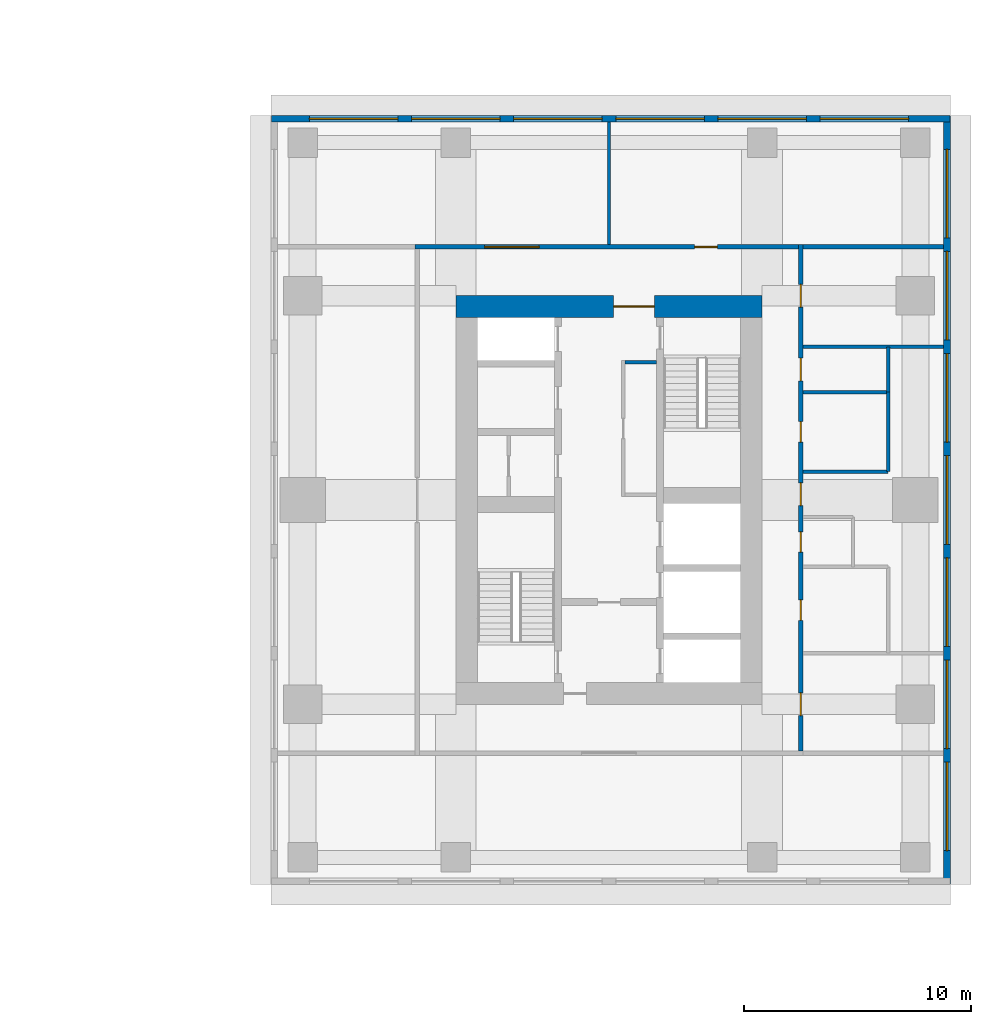
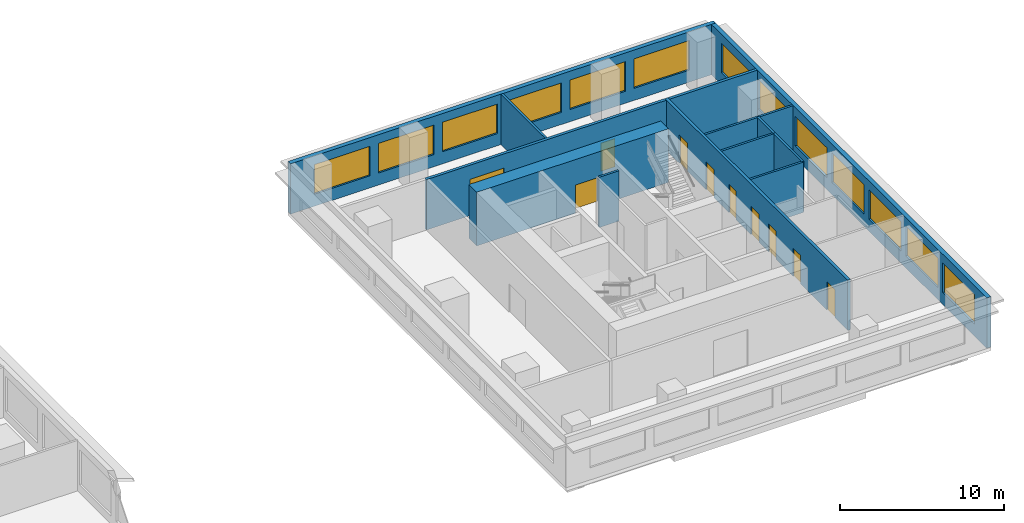
# One storey, part 7 of 10: 13 walls, 13 windows, 10 doors, 23 openings.
"""IFC4 building model written with IfcOpenShell, lengths in metres."""

from ifc_helpers import new_model, si_unit, direction, frame, frame_2d, origin, place, context, subcontext, project, spatial, rectangle, extrude, material, layer, layer_set, type_object, element, fill, save


model = new_model("IFC4")

# Units and contexts
model_context = context("Model", 3, precision=1e-05, world=origin(), true_north=direction((0.0, 1.0)))
body_context = subcontext(model_context, "Body", "Model", "MODEL_VIEW")
ifc_project = project(units=[si_unit("LENGTHUNIT", "METRE"), si_unit("AREAUNIT", "SQUARE_METRE"), si_unit("VOLUMEUNIT", "CUBIC_METRE"), si_unit("PLANEANGLEUNIT", "RADIAN"), si_unit("MASSUNIT", "GRAM", prefix="KILO")], contexts=[model_context])

# Site, building, storey
site_placement = place(None, origin())
site = spatial("IfcSite", under=ifc_project, at=site_placement, CompositionType="ELEMENT")
building_placement = place(site_placement, origin())
building = spatial("IfcBuilding", under=site, at=building_placement, Name="Namib Vertical Campus", CompositionType="ELEMENT")
storey_placement = place(building_placement, frame((0.0, 0.0, 229.0)))
storey = spatial("IfcBuildingStorey", under=building, at=storey_placement, Name="L54", CompositionType="ELEMENT", Elevation=229.0)

# Wall, opening, door
ifc_material_1 = material(Name="Concrete C60/75", Category="concrete")
ifc_layer_1 = layer(ifc_material_1, 0.949951171875)
ifc_layer_set_1 = layer_set([ifc_layer_1], Name="Concrete C60/75")
wall_type_1 = type_object("IfcWallType", Name="Core wall 950", PredefinedType="SHEAR", material=ifc_layer_set_1)
wall_1_placement = place(storey_placement, frame((87.75, 28.77490234375, 0.0), z_axis=(0.0, 0.0, 1.0), x_axis=(-1.0, 0.0, 0.0)))
wall_1 = element("IfcWall", 1, at=wall_1_placement, inside=storey, type_object=wall_type_1, Name="Core wall B L54 3", PredefinedType="SHEAR", context=body_context, shape_type="SweptSolid", body=[
    extrude(rectangle(XDim=13.5, YDim=0.949951171875, at=frame_2d((6.75, 0.0))), origin(), (0.0, 0.0, 1.0), 4.0),
])
opening_1_placement = place(wall_1_placement, frame((4.75, 0.0, 0.0)))
opening_1 = element("IfcOpeningElement", 2, at=opening_1_placement, cuts=wall_1, Name="Opening FD2", PredefinedType="OPENING", context=body_context, shape_type="SweptSolid", body=[
    extrude(rectangle(XDim=1.800048828125, YDim=2.10009765625, at=frame_2d((0.89990234375, 1.050048828125))), frame((0.0, 0.48486328125, 0.0), z_axis=(0.0, -1.0, 0.0), x_axis=(1.0, 0.0, 0.0)), (0.0, 0.0, 1.0), 0.969970703125),
])
ifc_material_2 = material(Name="Steel fire door", Category="steel")
door_type_1 = type_object("IfcDoorType", Name="Fire door double 1800x2100", OperationType="DOUBLE_DOOR_SINGLE_SWING", PredefinedType="DOOR", material=ifc_material_2)
door_1_placement = place(opening_1_placement, origin())
door_1 = element("IfcDoor", 3, at=door_1_placement, inside=storey, type_object=door_type_1, Name="Lift lobby door FD2 B L54", OperationType="DOUBLE_DOOR_SINGLE_SWING", OverallHeight=2.10009765625, OverallWidth=1.800048828125, PredefinedType="DOOR", context=body_context, shape_type="SweptSolid", body=[
    extrude(rectangle(XDim=1.800048828125, YDim=2.10009765625, at=frame_2d((0.89990234375, 1.050048828125))), frame((0.0, 0.02490234375, 0.0), z_axis=(0.0, -1.0, 0.0), x_axis=(1.0, 0.0, 0.0)), (0.0, 0.0, 1.0), 0.050048828125),
])
fill(opening_1, door_1)

# Wall, openings, doors
ifc_material_3 = material(Name="Concrete masonry", Category="masonry")
ifc_layer_2 = layer(ifc_material_3, 0.199951171875)
ifc_layer_set_2 = layer_set([ifc_layer_2], Name="Corridor wall 200")
wall_type_2 = type_object("IfcWallType", Name="Corridor wall 200", PredefinedType="SOLIDWALL", material=ifc_layer_set_2)
wall_2_placement = place(storey_placement, frame((89.449951171875, 9.199951171875, 0.0), z_axis=(0.0, 0.0, 1.0), x_axis=(0.0, 1.0, 0.0)))
wall_2 = element("IfcWall", 4, at=wall_2_placement, inside=storey, type_object=wall_type_2, Name="Corridor wall B L54 CE", PredefinedType="SOLIDWALL", context=body_context, shape_type="SweptSolid", body=[
    extrude(rectangle(XDim=22.300048828125, YDim=0.199951171875, at=frame_2d((11.14990234375, 0.0))), origin(), (0.0, 0.0, 1.0), 3.75),
])
opening_2_placement = place(wall_2_placement, frame((1.550048828125, 0.0, 0.0)))
opening_2 = element("IfcOpeningElement", 5, at=opening_2_placement, cuts=wall_2, Name="Opening CD1", PredefinedType="OPENING", context=body_context, shape_type="SweptSolid", body=[
    extrude(rectangle(XDim=1.0, YDim=2.10009765625, at=frame_2d((0.5, 1.050048828125))), frame((0.0, 0.10986328125, 0.0), z_axis=(0.0, -1.0, 0.0), x_axis=(1.0, 0.0, 0.0)), (0.0, 0.0, 1.0), 0.219970703125),
])
opening_3_placement = place(wall_2_placement, frame((5.75, 0.0, 0.0)))
opening_3 = element("IfcOpeningElement", 6, at=opening_3_placement, cuts=wall_2, Name="Opening CD3", PredefinedType="OPENING", context=body_context, shape_type="SweptSolid", body=[
    extrude(rectangle(XDim=0.89990234375, YDim=2.10009765625, at=frame_2d((0.449951171875, 1.050048828125))), frame((0.0, 0.10986328125, 0.0), z_axis=(0.0, -1.0, 0.0), x_axis=(1.0, 0.0, 0.0)), (0.0, 0.0, 1.0), 0.219970703125),
])
opening_4_placement = place(wall_2_placement, frame((8.75, 0.0, 0.0)))
opening_4 = element("IfcOpeningElement", 7, at=opening_4_placement, cuts=wall_2, Name="Opening CD3", PredefinedType="OPENING", context=body_context, shape_type="SweptSolid", body=[
    extrude(rectangle(XDim=0.89990234375, YDim=2.10009765625, at=frame_2d((0.449951171875, 1.050048828125))), frame((0.0, 0.10986328125, 0.0), z_axis=(0.0, -1.0, 0.0), x_axis=(1.0, 0.0, 0.0)), (0.0, 0.0, 1.0), 0.219970703125),
])
opening_5_placement = place(wall_2_placement, frame((13.60009765625, 0.0, 0.0)))
opening_5 = element("IfcOpeningElement", 8, at=opening_5_placement, cuts=wall_2, Name="Opening CD3", PredefinedType="OPENING", context=body_context, shape_type="SweptSolid", body=[
    extrude(rectangle(XDim=0.89990234375, YDim=2.10009765625, at=frame_2d((0.449951171875, 1.050048828125))), frame((0.0, 0.10986328125, 0.0), z_axis=(0.0, -1.0, 0.0), x_axis=(1.0, 0.0, 0.0)), (0.0, 0.0, 1.0), 0.219970703125),
])
opening_6_placement = place(wall_2_placement, frame((16.300048828125, 0.0, 0.0)))
opening_6 = element("IfcOpeningElement", 9, at=opening_6_placement, cuts=wall_2, Name="Opening CD1", PredefinedType="OPENING", context=body_context, shape_type="SweptSolid", body=[
    extrude(rectangle(XDim=1.0, YDim=2.10009765625, at=frame_2d((0.5, 1.050048828125))), frame((0.0, 0.10986328125, 0.0), z_axis=(0.0, -1.0, 0.0), x_axis=(1.0, 0.0, 0.0)), (0.0, 0.0, 1.0), 0.219970703125),
])
opening_7_placement = place(wall_2_placement, frame((10.800048828125, 0.0, 0.0)))
opening_7 = element("IfcOpeningElement", 10, at=opening_7_placement, cuts=wall_2, Name="Opening CD1", PredefinedType="OPENING", context=body_context, shape_type="SweptSolid", body=[
    extrude(rectangle(XDim=1.0, YDim=2.10009765625, at=frame_2d((0.5, 1.050048828125))), frame((0.0, 0.10986328125, 0.0), z_axis=(0.0, -1.0, 0.0), x_axis=(1.0, 0.0, 0.0)), (0.0, 0.0, 1.0), 0.219970703125),
])
opening_8_placement = place(wall_2_placement, frame((19.550048828125, 0.0, 0.0)))
opening_8 = element("IfcOpeningElement", 11, at=opening_8_placement, cuts=wall_2, Name="Opening CD1", PredefinedType="OPENING", context=body_context, shape_type="SweptSolid", body=[
    extrude(rectangle(XDim=1.0, YDim=2.10009765625, at=frame_2d((0.5, 1.050048828125))), frame((0.0, 0.10986328125, 0.0), z_axis=(0.0, -1.0, 0.0), x_axis=(1.0, 0.0, 0.0)), (0.0, 0.0, 1.0), 0.219970703125),
])
ifc_material_4 = material(Name="Timber fire door leaf", Category="wood")
door_type_2 = type_object("IfcDoorType", Name="Corridor door 1000x2100 20 min", OperationType="SINGLE_SWING_LEFT", PredefinedType="DOOR", material=ifc_material_4)
door_2_placement = place(opening_2_placement, frame((1.0, 0.0, 0.0), z_axis=(0.0, 0.0, 1.0), x_axis=(-1.0, 0.0, 0.0)))
door_2 = element("IfcDoor", 12, at=door_2_placement, inside=storey, type_object=door_type_2, Name="Door CD1 B54-02", OperationType="SINGLE_SWING_RIGHT", OverallHeight=2.10009765625, OverallWidth=1.0, PredefinedType="DOOR", context=body_context, shape_type="SweptSolid", body=[
    extrude(rectangle(XDim=1.0, YDim=2.10009765625, at=frame_2d((0.5, 1.050048828125))), frame((0.0, 0.02490234375, 0.0), z_axis=(0.0, -1.0, 0.0), x_axis=(1.0, 0.0, 0.0)), (0.0, 0.0, 1.0), 0.050048828125),
])
fill(opening_2, door_2)
door_3_placement = place(opening_6_placement, frame((1.0, 0.0, 0.0), z_axis=(0.0, 0.0, 1.0), x_axis=(-1.0, 0.0, 0.0)))
door_3 = element("IfcDoor", 13, at=door_3_placement, inside=storey, type_object=door_type_2, Name="Door CD1 B54-06", OperationType="SINGLE_SWING_RIGHT", OverallHeight=2.10009765625, OverallWidth=1.0, PredefinedType="DOOR", context=body_context, shape_type="SweptSolid", body=[
    extrude(rectangle(XDim=1.0, YDim=2.10009765625, at=frame_2d((0.5, 1.050048828125))), frame((0.0, 0.02490234375, 0.0), z_axis=(0.0, -1.0, 0.0), x_axis=(1.0, 0.0, 0.0)), (0.0, 0.0, 1.0), 0.050048828125),
])
fill(opening_6, door_3)
door_4_placement = place(opening_7_placement, frame((1.0, 0.0, 0.0), z_axis=(0.0, 0.0, 1.0), x_axis=(-1.0, 0.0, 0.0)))
door_4 = element("IfcDoor", 14, at=door_4_placement, inside=storey, type_object=door_type_2, Name="Door CD1 B54-07", OperationType="SINGLE_SWING_RIGHT", OverallHeight=2.10009765625, OverallWidth=1.0, PredefinedType="DOOR", context=body_context, shape_type="SweptSolid", body=[
    extrude(rectangle(XDim=1.0, YDim=2.10009765625, at=frame_2d((0.5, 1.050048828125))), frame((0.0, 0.02490234375, 0.0), z_axis=(0.0, -1.0, 0.0), x_axis=(1.0, 0.0, 0.0)), (0.0, 0.0, 1.0), 0.050048828125),
])
fill(opening_7, door_4)
door_5_placement = place(opening_8_placement, frame((1.0, 0.0, 0.0), z_axis=(0.0, 0.0, 1.0), x_axis=(-1.0, 0.0, 0.0)))
door_5 = element("IfcDoor", 15, at=door_5_placement, inside=storey, type_object=door_type_2, Name="Door CD1 B54-08", OperationType="SINGLE_SWING_RIGHT", OverallHeight=2.10009765625, OverallWidth=1.0, PredefinedType="DOOR", context=body_context, shape_type="SweptSolid", body=[
    extrude(rectangle(XDim=1.0, YDim=2.10009765625, at=frame_2d((0.5, 1.050048828125))), frame((0.0, 0.02490234375, 0.0), z_axis=(0.0, -1.0, 0.0), x_axis=(1.0, 0.0, 0.0)), (0.0, 0.0, 1.0), 0.050048828125),
])
fill(opening_8, door_5)
ifc_material_5 = material(Name="Timber fire door leaf", Category="wood")
door_type_3 = type_object("IfcDoorType", Name="Corridor toilet door 900x2100 20 min", OperationType="SINGLE_SWING_LEFT", PredefinedType="DOOR", material=ifc_material_5)
door_6_placement = place(opening_3_placement, frame((0.89990234375, 0.0, 0.0), z_axis=(0.0, 0.0, 1.0), x_axis=(-1.0, 0.0, 0.0)))
door_6 = element("IfcDoor", 16, at=door_6_placement, inside=storey, type_object=door_type_3, Name="Door CD3 B54-03", OperationType="SINGLE_SWING_RIGHT", OverallHeight=2.10009765625, OverallWidth=0.89990234375, PredefinedType="DOOR", context=body_context, shape_type="SweptSolid", body=[
    extrude(rectangle(XDim=0.89990234375, YDim=2.10009765625, at=frame_2d((0.449951171875, 1.050048828125))), frame((0.0, 0.02490234375, 0.0), z_axis=(0.0, -1.0, 0.0), x_axis=(1.0, 0.0, 0.0)), (0.0, 0.0, 1.0), 0.050048828125),
])
fill(opening_3, door_6)
door_7_placement = place(opening_4_placement, frame((0.89990234375, 0.0, 0.0), z_axis=(0.0, 0.0, 1.0), x_axis=(-1.0, 0.0, 0.0)))
door_7 = element("IfcDoor", 17, at=door_7_placement, inside=storey, type_object=door_type_3, Name="Door CD3 B54-04", OperationType="SINGLE_SWING_RIGHT", OverallHeight=2.10009765625, OverallWidth=0.89990234375, PredefinedType="DOOR", context=body_context, shape_type="SweptSolid", body=[
    extrude(rectangle(XDim=0.89990234375, YDim=2.10009765625, at=frame_2d((0.449951171875, 1.050048828125))), frame((0.0, 0.02490234375, 0.0), z_axis=(0.0, -1.0, 0.0), x_axis=(1.0, 0.0, 0.0)), (0.0, 0.0, 1.0), 0.050048828125),
])
fill(opening_4, door_7)
door_8_placement = place(opening_5_placement, frame((0.89990234375, 0.0, 0.0), z_axis=(0.0, 0.0, 1.0), x_axis=(-1.0, 0.0, 0.0)))
door_8 = element("IfcDoor", 18, at=door_8_placement, inside=storey, type_object=door_type_3, Name="Door CD3 B54-05", OperationType="SINGLE_SWING_RIGHT", OverallHeight=2.10009765625, OverallWidth=0.89990234375, PredefinedType="DOOR", context=body_context, shape_type="SweptSolid", body=[
    extrude(rectangle(XDim=0.89990234375, YDim=2.10009765625, at=frame_2d((0.449951171875, 1.050048828125))), frame((0.0, 0.02490234375, 0.0), z_axis=(0.0, -1.0, 0.0), x_axis=(1.0, 0.0, 0.0)), (0.0, 0.0, 1.0), 0.050048828125),
])
fill(opening_5, door_8)

wall_3_placement = place(storey_placement, frame((89.35009765625, 31.39990234375, 0.0), z_axis=(0.0, 0.0, 1.0), x_axis=(-1.0, 0.0, 0.0)))
wall_3 = element("IfcWall", 19, at=wall_3_placement, inside=storey, type_object=wall_type_2, Name="Corridor wall B L54 CN", PredefinedType="SOLIDWALL", context=body_context, shape_type="SweptSolid", body=[
    extrude(rectangle(XDim=16.900146484375, YDim=0.199951171875, at=frame_2d((8.4501953125, 0.0))), origin(), (0.0, 0.0, 1.0), 3.75),
])
opening_9_placement = place(wall_3_placement, frame((11.425048828125, 0.0, 0.0)))
opening_9 = element("IfcOpeningElement", 20, at=opening_9_placement, cuts=wall_3, Name="Opening PD1", PredefinedType="OPENING", context=body_context, shape_type="SweptSolid", body=[
    extrude(rectangle(XDim=2.39990234375, YDim=2.699951171875, at=frame_2d((1.199951171875, 1.35009765625))), frame((0.0, 0.10986328125, 0.0), z_axis=(0.0, -1.0, 0.0), x_axis=(1.0, 0.0, 0.0)), (0.0, 0.0, 1.0), 0.219970703125),
])
opening_10_placement = place(wall_3_placement, frame((3.574951171875, 0.0, 0.0)))
opening_10 = element("IfcOpeningElement", 21, at=opening_10_placement, cuts=wall_3, Name="Opening CD1", PredefinedType="OPENING", context=body_context, shape_type="SweptSolid", body=[
    extrude(rectangle(XDim=1.0, YDim=2.10009765625, at=frame_2d((0.5, 1.050048828125))), frame((0.0, 0.10986328125, 0.0), z_axis=(0.0, -1.0, 0.0), x_axis=(1.0, 0.0, 0.0)), (0.0, 0.0, 1.0), 0.219970703125),
])
door_9_placement = place(opening_10_placement, frame((1.0, 0.0, 0.0), z_axis=(0.0, 0.0, 1.0), x_axis=(-1.0, 0.0, 0.0)))
door_9 = element("IfcDoor", 22, at=door_9_placement, inside=storey, type_object=door_type_2, Name="Door CD1 B54-10", OperationType="SINGLE_SWING_LEFT", OverallHeight=2.10009765625, OverallWidth=1.0, PredefinedType="DOOR", context=body_context, shape_type="SweptSolid", body=[
    extrude(rectangle(XDim=1.0, YDim=2.10009765625, at=frame_2d((0.5, 1.050048828125))), frame((0.0, 0.02490234375, 0.0), z_axis=(0.0, -1.0, 0.0), x_axis=(1.0, 0.0, 0.0)), (0.0, 0.0, 1.0), 0.050048828125),
])
fill(opening_10, door_9)
ifc_material_6 = material(Name="Steel fire door", Category="steel")
door_type_4 = type_object("IfcDoorType", Name="Plant room door pair 2400x2700 60 min", OperationType="DOUBLE_DOOR_SINGLE_SWING", PredefinedType="DOOR", material=ifc_material_6)
door_10_placement = place(opening_9_placement, frame((2.39990234375, 0.0, 0.0), z_axis=(0.0, 0.0, 1.0), x_axis=(-1.0, 0.0, 0.0)))
door_10 = element("IfcDoor", 23, at=door_10_placement, inside=storey, type_object=door_type_4, Name="Door PD1 B54-09", OperationType="DOUBLE_DOOR_SINGLE_SWING", OverallHeight=2.699951171875, OverallWidth=2.39990234375, PredefinedType="DOOR", context=body_context, shape_type="SweptSolid", body=[
    extrude(rectangle(XDim=2.39990234375, YDim=2.699951171875, at=frame_2d((1.199951171875, 1.35009765625))), frame((0.0, 0.02490234375, 0.0), z_axis=(0.0, -1.0, 0.0), x_axis=(1.0, 0.0, 0.0)), (0.0, 0.0, 1.0), 0.050048828125),
])
fill(opening_9, door_10)

# Wall
wall_4_placement = place(storey_placement, frame((89.550048828125, 31.39990234375, 0.0), z_axis=(0.0, 0.0, 1.0), x_axis=(1.0, 0.0, 0.0)))
element("IfcWall", 24, at=wall_4_placement, inside=storey, type_object=wall_type_2, Name="Partition B L54 BNE", PredefinedType="SOLIDWALL", context=body_context, shape_type="SweptSolid", body=[
    extrude(rectangle(XDim=6.199951171875, YDim=0.199951171875, at=frame_2d((3.10009765625, 0.0))), origin(), (0.0, 0.0, 1.0), 3.75),
])

# Wall, openings, windows
ifc_material_7 = material(Name="Concrete C40/50", Category="concrete")
ifc_layer_3 = layer(ifc_material_7, 0.300048828125)
ifc_layer_set_3 = layer_set([ifc_layer_3], Name="Concrete C40/50")
wall_type_3 = type_object("IfcWallType", Name="External wall 300 board-marked concrete", PredefinedType="STANDARD", material=ifc_layer_set_3)
wall_5_placement = place(storey_placement, frame((95.89990234375, 3.320068359375, 0.0), z_axis=(0.0, 0.0, 1.0), x_axis=(0.0, 1.0, 0.0)))
wall_5 = element("IfcWall", 25, at=wall_5_placement, inside=storey, type_object=wall_type_3, Name="External wall L54 F02", PredefinedType="STANDARD", context=body_context, shape_type="SweptSolid", body=[
    extrude(rectangle(XDim=33.85986328125, YDim=0.300048828125, at=frame_2d((16.929931640625, 0.0))), origin(), (0.0, 0.0, 1.0), 3.75),
])
opening_11_placement = place(wall_5_placement, frame((1.47998046875, 0.0, 0.89990234375)))
opening_11 = element("IfcOpeningElement", 26, at=opening_11_placement, cuts=wall_5, Name="Opening LV1", PredefinedType="OPENING", context=body_context, shape_type="SweptSolid", body=[
    extrude(rectangle(XDim=3.89990234375, YDim=2.199951171875, at=frame_2d((1.949951171875, 1.10009765625))), frame((0.0, 0.159912109375, 0.0), z_axis=(0.0, -1.0, 0.0), x_axis=(1.0, 0.0, 0.0)), (0.0, 0.0, 1.0), 0.320068359375),
])
opening_12_placement = place(wall_5_placement, frame((5.97998046875, 0.0, 0.89990234375)))
opening_12 = element("IfcOpeningElement", 27, at=opening_12_placement, cuts=wall_5, Name="Opening LV1", PredefinedType="OPENING", context=body_context, shape_type="SweptSolid", body=[
    extrude(rectangle(XDim=3.89990234375, YDim=2.199951171875, at=frame_2d((1.949951171875, 1.10009765625))), frame((0.0, 0.159912109375, 0.0), z_axis=(0.0, -1.0, 0.0), x_axis=(1.0, 0.0, 0.0)), (0.0, 0.0, 1.0), 0.320068359375),
])
opening_13_placement = place(wall_5_placement, frame((10.47998046875, 0.0, 0.89990234375)))
opening_13 = element("IfcOpeningElement", 28, at=opening_13_placement, cuts=wall_5, Name="Opening LV1", PredefinedType="OPENING", context=body_context, shape_type="SweptSolid", body=[
    extrude(rectangle(XDim=3.89990234375, YDim=2.199951171875, at=frame_2d((1.949951171875, 1.10009765625))), frame((0.0, 0.159912109375, 0.0), z_axis=(0.0, -1.0, 0.0), x_axis=(1.0, 0.0, 0.0)), (0.0, 0.0, 1.0), 0.320068359375),
])
opening_14_placement = place(wall_5_placement, frame((14.97998046875, 0.0, 0.89990234375)))
opening_14 = element("IfcOpeningElement", 29, at=opening_14_placement, cuts=wall_5, Name="Opening LV1", PredefinedType="OPENING", context=body_context, shape_type="SweptSolid", body=[
    extrude(rectangle(XDim=3.89990234375, YDim=2.199951171875, at=frame_2d((1.949951171875, 1.10009765625))), frame((0.0, 0.159912109375, 0.0), z_axis=(0.0, -1.0, 0.0), x_axis=(1.0, 0.0, 0.0)), (0.0, 0.0, 1.0), 0.320068359375),
])
opening_15_placement = place(wall_5_placement, frame((19.47998046875, 0.0, 0.89990234375)))
opening_15 = element("IfcOpeningElement", 30, at=opening_15_placement, cuts=wall_5, Name="Opening LV1", PredefinedType="OPENING", context=body_context, shape_type="SweptSolid", body=[
    extrude(rectangle(XDim=3.89990234375, YDim=2.199951171875, at=frame_2d((1.949951171875, 1.10009765625))), frame((0.0, 0.159912109375, 0.0), z_axis=(0.0, -1.0, 0.0), x_axis=(1.0, 0.0, 0.0)), (0.0, 0.0, 1.0), 0.320068359375),
])
opening_16_placement = place(wall_5_placement, frame((23.97998046875, 0.0, 0.89990234375)))
opening_16 = element("IfcOpeningElement", 31, at=opening_16_placement, cuts=wall_5, Name="Opening LV1", PredefinedType="OPENING", context=body_context, shape_type="SweptSolid", body=[
    extrude(rectangle(XDim=3.89990234375, YDim=2.199951171875, at=frame_2d((1.949951171875, 1.10009765625))), frame((0.0, 0.159912109375, 0.0), z_axis=(0.0, -1.0, 0.0), x_axis=(1.0, 0.0, 0.0)), (0.0, 0.0, 1.0), 0.320068359375),
])
opening_17_placement = place(wall_5_placement, frame((28.47998046875, 0.0, 0.89990234375)))
opening_17 = element("IfcOpeningElement", 32, at=opening_17_placement, cuts=wall_5, Name="Opening LV1", PredefinedType="OPENING", context=body_context, shape_type="SweptSolid", body=[
    extrude(rectangle(XDim=3.89990234375, YDim=2.199951171875, at=frame_2d((1.949951171875, 1.10009765625))), frame((0.0, 0.159912109375, 0.0), z_axis=(0.0, -1.0, 0.0), x_axis=(1.0, 0.0, 0.0)), (0.0, 0.0, 1.0), 0.320068359375),
])
ifc_material_8 = material(Name="Black aluminium louvre", Category="aluminium")
window_type = type_object("IfcWindowType", Name="Plant louvre 3900x2200", PartitioningType="SINGLE_PANEL", PredefinedType="WINDOW", material=ifc_material_8)
window_1_placement = place(opening_11_placement, origin())
window_1 = element("IfcWindow", 33, at=window_1_placement, inside=storey, type_object=window_type, Name="Plant louvre LV1 L54 F02-1", OverallHeight=2.199951171875, OverallWidth=3.89990234375, PartitioningType="SINGLE_PANEL", PredefinedType="WINDOW", context=body_context, shape_type="SweptSolid", body=[
    extrude(rectangle(XDim=3.89990234375, YDim=2.199951171875, at=frame_2d((1.949951171875, 1.10009765625))), frame((0.0, 0.030029296875, 0.0), z_axis=(0.0, -1.0, 0.0), x_axis=(1.0, 0.0, 0.0)), (0.0, 0.0, 1.0), 0.06005859375),
])
fill(opening_11, window_1)
window_2_placement = place(opening_12_placement, origin())
window_2 = element("IfcWindow", 34, at=window_2_placement, inside=storey, type_object=window_type, Name="Plant louvre LV1 L54 F02-2", OverallHeight=2.199951171875, OverallWidth=3.89990234375, PartitioningType="SINGLE_PANEL", PredefinedType="WINDOW", context=body_context, shape_type="SweptSolid", body=[
    extrude(rectangle(XDim=3.89990234375, YDim=2.199951171875, at=frame_2d((1.949951171875, 1.10009765625))), frame((0.0, 0.030029296875, 0.0), z_axis=(0.0, -1.0, 0.0), x_axis=(1.0, 0.0, 0.0)), (0.0, 0.0, 1.0), 0.06005859375),
])
fill(opening_12, window_2)
window_3_placement = place(opening_13_placement, origin())
window_3 = element("IfcWindow", 35, at=window_3_placement, inside=storey, type_object=window_type, Name="Plant louvre LV1 L54 F02-3", OverallHeight=2.199951171875, OverallWidth=3.89990234375, PartitioningType="SINGLE_PANEL", PredefinedType="WINDOW", context=body_context, shape_type="SweptSolid", body=[
    extrude(rectangle(XDim=3.89990234375, YDim=2.199951171875, at=frame_2d((1.949951171875, 1.10009765625))), frame((0.0, 0.030029296875, 0.0), z_axis=(0.0, -1.0, 0.0), x_axis=(1.0, 0.0, 0.0)), (0.0, 0.0, 1.0), 0.06005859375),
])
fill(opening_13, window_3)
window_4_placement = place(opening_14_placement, origin())
window_4 = element("IfcWindow", 36, at=window_4_placement, inside=storey, type_object=window_type, Name="Plant louvre LV1 L54 F02-4", OverallHeight=2.199951171875, OverallWidth=3.89990234375, PartitioningType="SINGLE_PANEL", PredefinedType="WINDOW", context=body_context, shape_type="SweptSolid", body=[
    extrude(rectangle(XDim=3.89990234375, YDim=2.199951171875, at=frame_2d((1.949951171875, 1.10009765625))), frame((0.0, 0.030029296875, 0.0), z_axis=(0.0, -1.0, 0.0), x_axis=(1.0, 0.0, 0.0)), (0.0, 0.0, 1.0), 0.06005859375),
])
fill(opening_14, window_4)
window_5_placement = place(opening_15_placement, origin())
window_5 = element("IfcWindow", 37, at=window_5_placement, inside=storey, type_object=window_type, Name="Plant louvre LV1 L54 F02-5", OverallHeight=2.199951171875, OverallWidth=3.89990234375, PartitioningType="SINGLE_PANEL", PredefinedType="WINDOW", context=body_context, shape_type="SweptSolid", body=[
    extrude(rectangle(XDim=3.89990234375, YDim=2.199951171875, at=frame_2d((1.949951171875, 1.10009765625))), frame((0.0, 0.030029296875, 0.0), z_axis=(0.0, -1.0, 0.0), x_axis=(1.0, 0.0, 0.0)), (0.0, 0.0, 1.0), 0.06005859375),
])
fill(opening_15, window_5)
window_6_placement = place(opening_16_placement, origin())
window_6 = element("IfcWindow", 38, at=window_6_placement, inside=storey, type_object=window_type, Name="Plant louvre LV1 L54 F02-6", OverallHeight=2.199951171875, OverallWidth=3.89990234375, PartitioningType="SINGLE_PANEL", PredefinedType="WINDOW", context=body_context, shape_type="SweptSolid", body=[
    extrude(rectangle(XDim=3.89990234375, YDim=2.199951171875, at=frame_2d((1.949951171875, 1.10009765625))), frame((0.0, 0.030029296875, 0.0), z_axis=(0.0, -1.0, 0.0), x_axis=(1.0, 0.0, 0.0)), (0.0, 0.0, 1.0), 0.06005859375),
])
fill(opening_16, window_6)
window_7_placement = place(opening_17_placement, origin())
window_7 = element("IfcWindow", 39, at=window_7_placement, inside=storey, type_object=window_type, Name="Plant louvre LV1 L54 F02-7", OverallHeight=2.199951171875, OverallWidth=3.89990234375, PartitioningType="SINGLE_PANEL", PredefinedType="WINDOW", context=body_context, shape_type="SweptSolid", body=[
    extrude(rectangle(XDim=3.89990234375, YDim=2.199951171875, at=frame_2d((1.949951171875, 1.10009765625))), frame((0.0, 0.030029296875, 0.0), z_axis=(0.0, -1.0, 0.0), x_axis=(1.0, 0.0, 0.0)), (0.0, 0.0, 1.0), 0.06005859375),
])
fill(opening_17, window_7)

wall_6_placement = place(storey_placement, frame((96.030029296875, 37.050048828125, 0.0), z_axis=(0.0, 0.0, 1.0), x_axis=(-1.0, 0.0, 0.0)))
wall_6 = element("IfcWall", 40, at=wall_6_placement, inside=storey, type_object=wall_type_3, Name="External wall L54 F03", PredefinedType="STANDARD", context=body_context, shape_type="SweptSolid", body=[
    extrude(rectangle(XDim=29.909912109375, YDim=0.300048828125, at=frame_2d((14.955078125, 0.0))), origin(), (0.0, 0.0, 1.0), 3.75),
])
opening_18_placement = place(wall_6_placement, frame((24.330078125, 0.0, 0.89990234375)))
opening_18 = element("IfcOpeningElement", 41, at=opening_18_placement, cuts=wall_6, Name="Opening LV1", PredefinedType="OPENING", context=body_context, shape_type="SweptSolid", body=[
    extrude(rectangle(XDim=3.89990234375, YDim=2.199951171875, at=frame_2d((1.949951171875, 1.10009765625))), frame((0.0, 0.159912109375, 0.0), z_axis=(0.0, -1.0, 0.0), x_axis=(1.0, 0.0, 0.0)), (0.0, 0.0, 1.0), 0.320068359375),
])
opening_19_placement = place(wall_6_placement, frame((19.830078125, 0.0, 0.89990234375)))
opening_19 = element("IfcOpeningElement", 42, at=opening_19_placement, cuts=wall_6, Name="Opening LV1", PredefinedType="OPENING", context=body_context, shape_type="SweptSolid", body=[
    extrude(rectangle(XDim=3.89990234375, YDim=2.199951171875, at=frame_2d((1.949951171875, 1.10009765625))), frame((0.0, 0.159912109375, 0.0), z_axis=(0.0, -1.0, 0.0), x_axis=(1.0, 0.0, 0.0)), (0.0, 0.0, 1.0), 0.320068359375),
])
opening_20_placement = place(wall_6_placement, frame((15.330078125, 0.0, 0.89990234375)))
opening_20 = element("IfcOpeningElement", 43, at=opening_20_placement, cuts=wall_6, Name="Opening LV1", PredefinedType="OPENING", context=body_context, shape_type="SweptSolid", body=[
    extrude(rectangle(XDim=3.89990234375, YDim=2.199951171875, at=frame_2d((1.949951171875, 1.10009765625))), frame((0.0, 0.159912109375, 0.0), z_axis=(0.0, -1.0, 0.0), x_axis=(1.0, 0.0, 0.0)), (0.0, 0.0, 1.0), 0.320068359375),
])
opening_21_placement = place(wall_6_placement, frame((10.830078125, 0.0, 0.89990234375)))
opening_21 = element("IfcOpeningElement", 44, at=opening_21_placement, cuts=wall_6, Name="Opening LV1", PredefinedType="OPENING", context=body_context, shape_type="SweptSolid", body=[
    extrude(rectangle(XDim=3.89990234375, YDim=2.199951171875, at=frame_2d((1.949951171875, 1.10009765625))), frame((0.0, 0.159912109375, 0.0), z_axis=(0.0, -1.0, 0.0), x_axis=(1.0, 0.0, 0.0)), (0.0, 0.0, 1.0), 0.320068359375),
])
opening_22_placement = place(wall_6_placement, frame((6.330078125, 0.0, 0.89990234375)))
opening_22 = element("IfcOpeningElement", 45, at=opening_22_placement, cuts=wall_6, Name="Opening LV1", PredefinedType="OPENING", context=body_context, shape_type="SweptSolid", body=[
    extrude(rectangle(XDim=3.89990234375, YDim=2.199951171875, at=frame_2d((1.949951171875, 1.10009765625))), frame((0.0, 0.159912109375, 0.0), z_axis=(0.0, -1.0, 0.0), x_axis=(1.0, 0.0, 0.0)), (0.0, 0.0, 1.0), 0.320068359375),
])
opening_23_placement = place(wall_6_placement, frame((1.830078125, 0.0, 0.89990234375)))
opening_23 = element("IfcOpeningElement", 46, at=opening_23_placement, cuts=wall_6, Name="Opening LV1", PredefinedType="OPENING", context=body_context, shape_type="SweptSolid", body=[
    extrude(rectangle(XDim=3.89990234375, YDim=2.199951171875, at=frame_2d((1.949951171875, 1.10009765625))), frame((0.0, 0.159912109375, 0.0), z_axis=(0.0, -1.0, 0.0), x_axis=(1.0, 0.0, 0.0)), (0.0, 0.0, 1.0), 0.320068359375),
])
window_8_placement = place(opening_18_placement, origin())
window_8 = element("IfcWindow", 47, at=window_8_placement, inside=storey, type_object=window_type, Name="Plant louvre LV1 L54 F03-1", OverallHeight=2.199951171875, OverallWidth=3.89990234375, PartitioningType="SINGLE_PANEL", PredefinedType="WINDOW", context=body_context, shape_type="SweptSolid", body=[
    extrude(rectangle(XDim=3.89990234375, YDim=2.199951171875, at=frame_2d((1.949951171875, 1.10009765625))), frame((0.0, 0.030029296875, 0.0), z_axis=(0.0, -1.0, 0.0), x_axis=(1.0, 0.0, 0.0)), (0.0, 0.0, 1.0), 0.06005859375),
])
fill(opening_18, window_8)
window_9_placement = place(opening_19_placement, origin())
window_9 = element("IfcWindow", 48, at=window_9_placement, inside=storey, type_object=window_type, Name="Plant louvre LV1 L54 F03-2", OverallHeight=2.199951171875, OverallWidth=3.89990234375, PartitioningType="SINGLE_PANEL", PredefinedType="WINDOW", context=body_context, shape_type="SweptSolid", body=[
    extrude(rectangle(XDim=3.89990234375, YDim=2.199951171875, at=frame_2d((1.949951171875, 1.10009765625))), frame((0.0, 0.030029296875, 0.0), z_axis=(0.0, -1.0, 0.0), x_axis=(1.0, 0.0, 0.0)), (0.0, 0.0, 1.0), 0.06005859375),
])
fill(opening_19, window_9)
window_10_placement = place(opening_20_placement, origin())
window_10 = element("IfcWindow", 49, at=window_10_placement, inside=storey, type_object=window_type, Name="Plant louvre LV1 L54 F03-3", OverallHeight=2.199951171875, OverallWidth=3.89990234375, PartitioningType="SINGLE_PANEL", PredefinedType="WINDOW", context=body_context, shape_type="SweptSolid", body=[
    extrude(rectangle(XDim=3.89990234375, YDim=2.199951171875, at=frame_2d((1.949951171875, 1.10009765625))), frame((0.0, 0.030029296875, 0.0), z_axis=(0.0, -1.0, 0.0), x_axis=(1.0, 0.0, 0.0)), (0.0, 0.0, 1.0), 0.06005859375),
])
fill(opening_20, window_10)
window_11_placement = place(opening_21_placement, origin())
window_11 = element("IfcWindow", 50, at=window_11_placement, inside=storey, type_object=window_type, Name="Plant louvre LV1 L54 F03-4", OverallHeight=2.199951171875, OverallWidth=3.89990234375, PartitioningType="SINGLE_PANEL", PredefinedType="WINDOW", context=body_context, shape_type="SweptSolid", body=[
    extrude(rectangle(XDim=3.89990234375, YDim=2.199951171875, at=frame_2d((1.949951171875, 1.10009765625))), frame((0.0, 0.030029296875, 0.0), z_axis=(0.0, -1.0, 0.0), x_axis=(1.0, 0.0, 0.0)), (0.0, 0.0, 1.0), 0.06005859375),
])
fill(opening_21, window_11)
window_12_placement = place(opening_22_placement, origin())
window_12 = element("IfcWindow", 51, at=window_12_placement, inside=storey, type_object=window_type, Name="Plant louvre LV1 L54 F03-5", OverallHeight=2.199951171875, OverallWidth=3.89990234375, PartitioningType="SINGLE_PANEL", PredefinedType="WINDOW", context=body_context, shape_type="SweptSolid", body=[
    extrude(rectangle(XDim=3.89990234375, YDim=2.199951171875, at=frame_2d((1.949951171875, 1.10009765625))), frame((0.0, 0.030029296875, 0.0), z_axis=(0.0, -1.0, 0.0), x_axis=(1.0, 0.0, 0.0)), (0.0, 0.0, 1.0), 0.06005859375),
])
fill(opening_22, window_12)
window_13_placement = place(opening_23_placement, origin())
window_13 = element("IfcWindow", 52, at=window_13_placement, inside=storey, type_object=window_type, Name="Plant louvre LV1 L54 F03-6", OverallHeight=2.199951171875, OverallWidth=3.89990234375, PartitioningType="SINGLE_PANEL", PredefinedType="WINDOW", context=body_context, shape_type="SweptSolid", body=[
    extrude(rectangle(XDim=3.89990234375, YDim=2.199951171875, at=frame_2d((1.949951171875, 1.10009765625))), frame((0.0, 0.030029296875, 0.0), z_axis=(0.0, -1.0, 0.0), x_axis=(1.0, 0.0, 0.0)), (0.0, 0.0, 1.0), 0.06005859375),
])
fill(opening_23, window_13)

# Walls
ifc_material_9 = material(Name="Gypsum board on steel studs", Category="steel")
ifc_layer_4 = layer(ifc_material_9, 0.14990234375)
ifc_layer_set_4 = layer_set([ifc_layer_4], Name="Gypsum board on steel studs")
wall_type_4 = type_object("IfcWallType", Name="Partition 150", PredefinedType="PARTITIONING", material=ifc_layer_set_4)
wall_7_placement = place(storey_placement, frame((81.699951171875, 26.324951171875, 0.0), z_axis=(0.0, 0.0, 1.0), x_axis=(1.0, 0.0, 0.0)))
element("IfcWall", 53, at=wall_7_placement, inside=storey, type_object=wall_type_4, Name="Partition B L54 Store end 2", PredefinedType="PARTITIONING", context=body_context, shape_type="SweptSolid", body=[
    extrude(rectangle(XDim=1.400146484375, YDim=0.14990234375, at=frame_2d((0.7001953125, 0.0))), origin(), (0.0, 0.0, 1.0), 3.75),
])
wall_8_placement = place(storey_placement, frame((81.0, 31.5, 0.0), z_axis=(0.0, 0.0, 1.0), x_axis=(0.0, 1.0, 0.0)))
element("IfcWall", 54, at=wall_8_placement, inside=storey, type_object=wall_type_4, Name="Partition B L54 PN1", PredefinedType="PARTITIONING", context=body_context, shape_type="SweptSolid", body=[
    extrude(rectangle(XDim=5.39990234375, YDim=0.14990234375, at=frame_2d((2.699951171875, 0.0))), origin(), (0.0, 0.0, 1.0), 3.75),
])
wall_9_placement = place(storey_placement, frame((89.550048828125, 27.0, 0.0), z_axis=(0.0, 0.0, 1.0), x_axis=(1.0, 0.0, 0.0)))
element("IfcWall", 55, at=wall_9_placement, inside=storey, type_object=wall_type_4, Name="Partition B L54 PE2", PredefinedType="PARTITIONING", context=body_context, shape_type="SweptSolid", body=[
    extrude(rectangle(XDim=6.199951171875, YDim=0.14990234375, at=frame_2d((3.10009765625, 0.0))), origin(), (0.0, 0.0, 1.0), 3.75),
])
for number, where, z_axis, x_axis, name in (
    (56, (89.550048828125, 21.5, 0.0), (0.0, 0.0, 1.0), (1.0, 0.0, 0.0), "Partition B L54 WR3"),
    (57, (89.550048828125, 25.0, 0.0), (0.0, 0.0, 1.0), (1.0, 0.0, 0.0), "Partition B L54 WR4"),
):
    element("IfcWall", number, at=place(storey_placement, frame(where, z_axis=z_axis, x_axis=x_axis)), inside=storey, type_object=wall_type_4, Name=name, PredefinedType="PARTITIONING", context=body_context, shape_type="SweptSolid", body=[
        extrude(rectangle(XDim=3.75, YDim=0.14990234375, at=frame_2d((1.875, 0.0))), origin(), (0.0, 0.0, 1.0), 3.75),
    ])
wall_10_placement = place(storey_placement, frame((93.300048828125, 21.5, 0.0), z_axis=(0.0, 0.0, 1.0), x_axis=(0.0, 1.0, 0.0)))
element("IfcWall", 58, at=wall_10_placement, inside=storey, type_object=wall_type_4, Name="Partition B L54 WB3", PredefinedType="PARTITIONING", context=body_context, shape_type="SweptSolid", body=[
    extrude(rectangle(XDim=3.5, YDim=0.14990234375, at=frame_2d((1.75, 0.0))), origin(), (0.0, 0.0, 1.0), 3.75),
])
wall_11_placement = place(storey_placement, frame((93.300048828125, 25.0, 0.0), z_axis=(0.0, 0.0, 1.0), x_axis=(0.0, 1.0, 0.0)))
element("IfcWall", 59, at=wall_11_placement, inside=storey, type_object=wall_type_4, Name="Partition B L54 WB4", PredefinedType="PARTITIONING", context=body_context, shape_type="SweptSolid", body=[
    extrude(rectangle(XDim=2.0, YDim=0.14990234375, at=frame_2d((1.0, 0.0))), origin(), (0.0, 0.0, 1.0), 3.75),
])

save(model, "model.ifc")
